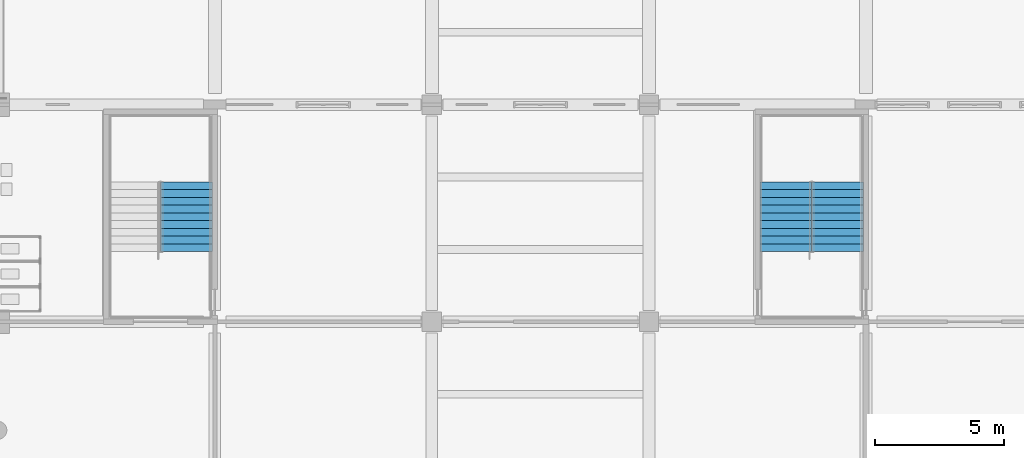
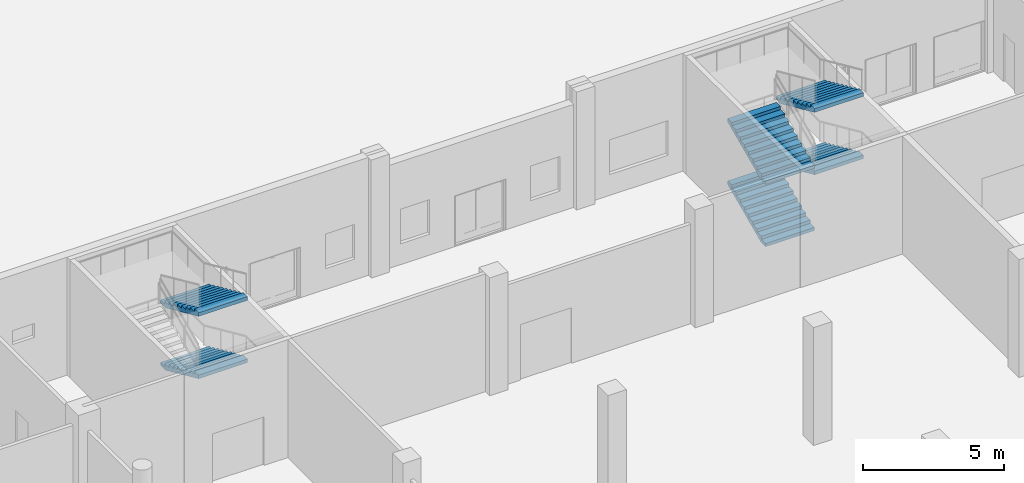
# One storey, part 55 of 74: 6 stair flights, 2 elements without a shape of their own.
"""IFC4 building model written with IfcOpenShell, lengths in metres."""

from ifc_helpers import new_model, si_unit, direction, frame, origin, place, context, subcontext, project, spatial, faceted_brep, material, type_object, element, aggregate, save


model = new_model("IFC4")

# Units and contexts
model_context = context("Model", 3, precision=1e-05, world=origin(), true_north=direction((0.0, 1.0)))
body_context = subcontext(model_context, "Body", "Model", "MODEL_VIEW")
ifc_project = project(units=[si_unit("LENGTHUNIT", "METRE"), si_unit("AREAUNIT", "SQUARE_METRE"), si_unit("VOLUMEUNIT", "CUBIC_METRE"), si_unit("PLANEANGLEUNIT", "RADIAN"), si_unit("MASSUNIT", "GRAM", prefix="KILO")], contexts=[model_context])

# Site, building, storey
site_placement = place(None, origin())
site = spatial("IfcSite", under=ifc_project, at=site_placement, CompositionType="ELEMENT")
building_placement = place(site_placement, origin())
building = spatial("IfcBuilding", under=site, at=building_placement, Name="Rulbaag Community and Learning Centre", CompositionType="ELEMENT")
storey_placement = place(building_placement, origin())
storey = spatial("IfcBuildingStorey", under=building, at=storey_placement, Name="L00", CompositionType="ELEMENT", Elevation=0.0)

# Stair, stair flights
ifc_material = material(Name="Concrete M40", Category="concrete")
stair_type = type_object("IfcStairType", Name="ST-2000 STAIR 2000 WIDE", PredefinedType="HALF_TURN_STAIR", material=ifc_material)
stair_1_placement = place(storey_placement, origin())
stair_1 = element("IfcStair", 1, at=stair_1_placement, inside=storey, type_object=stair_type, Name="Stair ST-H6 L00", PredefinedType="HALF_TURN_STAIR")
stair_flight_type = type_object("IfcStairFlightType", Name="FL-2000 FLIGHT 2000 WIDE Concrete M40", PredefinedType="STRAIGHT", material=ifc_material)
stair_flight_1_placement = place(storey_placement, frame((91.300048828125, 47.41259765625, 1.35009765625), z_axis=(0.0, 0.0, 1.0), x_axis=(0.0, -1.0, 0.0)))
stair_flight_1 = element("IfcStairFlight", 2, at=stair_flight_1_placement, type_object=stair_flight_type, Name="ST-H6 flight 2", NumberOfRisers=10, NumberOfTreads=9, PredefinedType="STRAIGHT", RiserHeight=0.135, TreadLength=0.3, context=body_context, shape_type="Brep", body=[
    faceted_brep([(0.3408203125, -1.0, 0.0), (2.699951171875, -1.0, 1.0615234375), (2.699951171875, -1.0, 1.215087890625), (2.39990234375, -1.0, 1.215087890625), (2.39990234375, -1.0, 1.080078125), (2.10009765625, -1.0, 1.080078125), (2.10009765625, -1.0, 0.945068359375), (1.800048828125, -1.0, 0.945068359375), (1.800048828125, -1.0, 0.81005859375), (1.5, -1.0, 0.81005859375), (1.5, -1.0, 0.675048828125), (1.199951171875, -1.0, 0.675048828125), (1.199951171875, -1.0, 0.5400390625), (0.89990234375, -1.0, 0.5400390625), (0.89990234375, -1.0, 0.405029296875), (0.60009765625, -1.0, 0.405029296875), (0.60009765625, -1.0, 0.27001953125), (0.300048828125, -1.0, 0.27001953125), (0.300048828125, -1.0, 0.135009765625), (0.0, -1.0, 0.135009765625), (0.0, -1.0, 0.0), (0.0, 1.0, 0.0), (0.0, 1.0, 0.135009765625), (0.300048828125, 1.0, 0.135009765625), (0.300048828125, 1.0, 0.27001953125), (0.60009765625, 1.0, 0.27001953125), (0.60009765625, 1.0, 0.405029296875), (0.89990234375, 1.0, 0.405029296875), (0.89990234375, 1.0, 0.5400390625), (1.199951171875, 1.0, 0.5400390625), (1.199951171875, 1.0, 0.675048828125), (1.5, 1.0, 0.675048828125), (1.5, 1.0, 0.81005859375), (1.800048828125, 1.0, 0.81005859375), (1.800048828125, 1.0, 0.945068359375), (2.10009765625, 1.0, 0.945068359375), (2.10009765625, 1.0, 1.080078125), (2.39990234375, 1.0, 1.080078125), (2.39990234375, 1.0, 1.215087890625), (2.699951171875, 1.0, 1.215087890625), (2.699951171875, 1.0, 1.0615234375), (0.3408203125, 1.0, 0.0), (0.0, -0.333251953125, 0.135009765625), (0.0, -0.333251953125, 0.0), (0.0, 0.333251953125, 0.135009765625), (0.0, 0.333251953125, 0.0), (0.300048828125, -0.333251953125, 0.135009765625), (0.300048828125, 0.333251953125, 0.135009765625), (0.300048828125, -0.333251953125, 0.27001953125), (0.300048828125, 0.333251953125, 0.27001953125), (0.60009765625, -0.333251953125, 0.27001953125), (0.60009765625, 0.333251953125, 0.27001953125), (0.60009765625, -0.333251953125, 0.405029296875), (0.60009765625, 0.333251953125, 0.405029296875), (0.89990234375, -0.333251953125, 0.405029296875), (0.89990234375, 0.333251953125, 0.405029296875), (0.89990234375, -0.333251953125, 0.5400390625), (0.89990234375, 0.333251953125, 0.5400390625), (1.199951171875, -0.333251953125, 0.5400390625), (1.199951171875, 0.333251953125, 0.5400390625), (1.199951171875, -0.333251953125, 0.675048828125), (1.199951171875, 0.333251953125, 0.675048828125), (1.5, -0.333251953125, 0.675048828125), (1.5, 0.333251953125, 0.675048828125), (1.5, -0.333251953125, 0.81005859375), (1.5, 0.333251953125, 0.81005859375), (1.800048828125, -0.333251953125, 0.81005859375), (1.800048828125, 0.333251953125, 0.81005859375), (1.800048828125, -0.333251953125, 0.945068359375), (1.800048828125, 0.333251953125, 0.945068359375), (2.10009765625, -0.333251953125, 0.945068359375), (2.10009765625, 0.333251953125, 0.945068359375), (2.10009765625, -0.333251953125, 1.080078125), (2.10009765625, 0.333251953125, 1.080078125), (2.39990234375, -0.333251953125, 1.080078125), (2.39990234375, 0.333251953125, 1.080078125), (2.39990234375, -0.333251953125, 1.215087890625), (2.39990234375, 0.333251953125, 1.215087890625), (2.699951171875, -0.333251953125, 1.215087890625), (2.699951171875, 0.333251953125, 1.215087890625), (2.699951171875, -0.333251953125, 1.0615234375), (2.699951171875, 0.333251953125, 1.0615234375), (0.3408203125, -0.333251953125, 0.0), (0.3408203125, 0.333251953125, 0.0)], [[[0, 1, 2, 3, 4, 5, 6, 7, 8, 9, 10, 11, 12, 13, 14, 15, 16, 17, 18, 19, 20]], [[21, 22, 23, 24, 25, 26, 27, 28, 29, 30, 31, 32, 33, 34, 35, 36, 37, 38, 39, 40, 41]], [[20, 19, 42, 43]], [[43, 42, 44, 45]], [[45, 44, 22, 21]], [[19, 18, 46, 42]], [[42, 46, 47, 44]], [[44, 47, 23, 22]], [[18, 17, 48, 46]], [[46, 48, 49, 47]], [[47, 49, 24, 23]], [[17, 16, 50, 48]], [[48, 50, 51, 49]], [[49, 51, 25, 24]], [[16, 15, 52, 50]], [[50, 52, 53, 51]], [[51, 53, 26, 25]], [[15, 14, 54, 52]], [[52, 54, 55, 53]], [[53, 55, 27, 26]], [[14, 13, 56, 54]], [[54, 56, 57, 55]], [[55, 57, 28, 27]], [[13, 12, 58, 56]], [[56, 58, 59, 57]], [[57, 59, 29, 28]], [[12, 11, 60, 58]], [[58, 60, 61, 59]], [[59, 61, 30, 29]], [[11, 10, 62, 60]], [[60, 62, 63, 61]], [[61, 63, 31, 30]], [[10, 9, 64, 62]], [[62, 64, 65, 63]], [[63, 65, 32, 31]], [[9, 8, 66, 64]], [[64, 66, 67, 65]], [[65, 67, 33, 32]], [[8, 7, 68, 66]], [[66, 68, 69, 67]], [[67, 69, 34, 33]], [[7, 6, 70, 68]], [[68, 70, 71, 69]], [[69, 71, 35, 34]], [[6, 5, 72, 70]], [[70, 72, 73, 71]], [[71, 73, 36, 35]], [[5, 4, 74, 72]], [[72, 74, 75, 73]], [[73, 75, 37, 36]], [[4, 3, 76, 74]], [[74, 76, 77, 75]], [[75, 77, 38, 37]], [[3, 2, 78, 76]], [[76, 78, 79, 77]], [[77, 79, 39, 38]], [[2, 1, 80, 78]], [[78, 80, 81, 79]], [[79, 81, 40, 39]], [[1, 0, 82, 80]], [[80, 82, 83, 81]], [[81, 83, 41, 40]], [[0, 20, 43, 82]], [[82, 43, 45, 83]], [[83, 45, 21, 41]]]),
])
stair_flight_2_placement = place(storey_placement, frame((91.300048828125, 47.41259765625, 4.050048828125), z_axis=(0.0, 0.0, 1.0), x_axis=(0.0, -1.0, 0.0)))
stair_flight_2 = element("IfcStairFlight", 3, at=stair_flight_2_placement, type_object=stair_flight_type, Name="ST-H6 flight 4", NumberOfRisers=10, NumberOfTreads=9, PredefinedType="STRAIGHT", RiserHeight=0.135, TreadLength=0.3, context=body_context, shape_type="Brep", body=[
    faceted_brep([(0.3408203125, -1.0, 0.0), (2.699951171875, -1.0, 1.0615234375), (2.699951171875, -1.0, 1.215087890625), (2.39990234375, -1.0, 1.215087890625), (2.39990234375, -1.0, 1.080078125), (2.10009765625, -1.0, 1.080078125), (2.10009765625, -1.0, 0.945068359375), (1.800048828125, -1.0, 0.945068359375), (1.800048828125, -1.0, 0.81005859375), (1.5, -1.0, 0.81005859375), (1.5, -1.0, 0.675048828125), (1.199951171875, -1.0, 0.675048828125), (1.199951171875, -1.0, 0.5400390625), (0.89990234375, -1.0, 0.5400390625), (0.89990234375, -1.0, 0.405029296875), (0.60009765625, -1.0, 0.405029296875), (0.60009765625, -1.0, 0.27001953125), (0.300048828125, -1.0, 0.27001953125), (0.300048828125, -1.0, 0.135009765625), (0.0, -1.0, 0.135009765625), (0.0, -1.0, 0.0), (0.0, 1.0, 0.0), (0.0, 1.0, 0.135009765625), (0.300048828125, 1.0, 0.135009765625), (0.300048828125, 1.0, 0.27001953125), (0.60009765625, 1.0, 0.27001953125), (0.60009765625, 1.0, 0.405029296875), (0.89990234375, 1.0, 0.405029296875), (0.89990234375, 1.0, 0.5400390625), (1.199951171875, 1.0, 0.5400390625), (1.199951171875, 1.0, 0.675048828125), (1.5, 1.0, 0.675048828125), (1.5, 1.0, 0.81005859375), (1.800048828125, 1.0, 0.81005859375), (1.800048828125, 1.0, 0.945068359375), (2.10009765625, 1.0, 0.945068359375), (2.10009765625, 1.0, 1.080078125), (2.39990234375, 1.0, 1.080078125), (2.39990234375, 1.0, 1.215087890625), (2.699951171875, 1.0, 1.215087890625), (2.699951171875, 1.0, 1.0615234375), (0.3408203125, 1.0, 0.0), (0.0, -0.333251953125, 0.135009765625), (0.0, -0.333251953125, 0.0), (0.0, 0.333251953125, 0.135009765625), (0.0, 0.333251953125, 0.0), (0.300048828125, -0.333251953125, 0.135009765625), (0.300048828125, 0.333251953125, 0.135009765625), (0.300048828125, -0.333251953125, 0.27001953125), (0.300048828125, 0.333251953125, 0.27001953125), (0.60009765625, -0.333251953125, 0.27001953125), (0.60009765625, 0.333251953125, 0.27001953125), (0.60009765625, -0.333251953125, 0.405029296875), (0.60009765625, 0.333251953125, 0.405029296875), (0.89990234375, -0.333251953125, 0.405029296875), (0.89990234375, 0.333251953125, 0.405029296875), (0.89990234375, -0.333251953125, 0.5400390625), (0.89990234375, 0.333251953125, 0.5400390625), (1.199951171875, -0.333251953125, 0.5400390625), (1.199951171875, 0.333251953125, 0.5400390625), (1.199951171875, -0.333251953125, 0.675048828125), (1.199951171875, 0.333251953125, 0.675048828125), (1.5, -0.333251953125, 0.675048828125), (1.5, 0.333251953125, 0.675048828125), (1.5, -0.333251953125, 0.81005859375), (1.5, 0.333251953125, 0.81005859375), (1.800048828125, -0.333251953125, 0.81005859375), (1.800048828125, 0.333251953125, 0.81005859375), (1.800048828125, -0.333251953125, 0.945068359375), (1.800048828125, 0.333251953125, 0.945068359375), (2.10009765625, -0.333251953125, 0.945068359375), (2.10009765625, 0.333251953125, 0.945068359375), (2.10009765625, -0.333251953125, 1.080078125), (2.10009765625, 0.333251953125, 1.080078125), (2.39990234375, -0.333251953125, 1.080078125), (2.39990234375, 0.333251953125, 1.080078125), (2.39990234375, -0.333251953125, 1.215087890625), (2.39990234375, 0.333251953125, 1.215087890625), (2.699951171875, -0.333251953125, 1.215087890625), (2.699951171875, 0.333251953125, 1.215087890625), (2.699951171875, -0.333251953125, 1.0615234375), (2.699951171875, 0.333251953125, 1.0615234375), (0.3408203125, -0.333251953125, 0.0), (0.3408203125, 0.333251953125, 0.0)], [[[0, 1, 2, 3, 4, 5, 6, 7, 8, 9, 10, 11, 12, 13, 14, 15, 16, 17, 18, 19, 20]], [[21, 22, 23, 24, 25, 26, 27, 28, 29, 30, 31, 32, 33, 34, 35, 36, 37, 38, 39, 40, 41]], [[20, 19, 42, 43]], [[43, 42, 44, 45]], [[45, 44, 22, 21]], [[19, 18, 46, 42]], [[42, 46, 47, 44]], [[44, 47, 23, 22]], [[18, 17, 48, 46]], [[46, 48, 49, 47]], [[47, 49, 24, 23]], [[17, 16, 50, 48]], [[48, 50, 51, 49]], [[49, 51, 25, 24]], [[16, 15, 52, 50]], [[50, 52, 53, 51]], [[51, 53, 26, 25]], [[15, 14, 54, 52]], [[52, 54, 55, 53]], [[53, 55, 27, 26]], [[14, 13, 56, 54]], [[54, 56, 57, 55]], [[55, 57, 28, 27]], [[13, 12, 58, 56]], [[56, 58, 59, 57]], [[57, 59, 29, 28]], [[12, 11, 60, 58]], [[58, 60, 61, 59]], [[59, 61, 30, 29]], [[11, 10, 62, 60]], [[60, 62, 63, 61]], [[61, 63, 31, 30]], [[10, 9, 64, 62]], [[62, 64, 65, 63]], [[63, 65, 32, 31]], [[9, 8, 66, 64]], [[64, 66, 67, 65]], [[65, 67, 33, 32]], [[8, 7, 68, 66]], [[66, 68, 69, 67]], [[67, 69, 34, 33]], [[7, 6, 70, 68]], [[68, 70, 71, 69]], [[69, 71, 35, 34]], [[6, 5, 72, 70]], [[70, 72, 73, 71]], [[71, 73, 36, 35]], [[5, 4, 74, 72]], [[72, 74, 75, 73]], [[73, 75, 37, 36]], [[4, 3, 76, 74]], [[74, 76, 77, 75]], [[75, 77, 38, 37]], [[3, 2, 78, 76]], [[76, 78, 79, 77]], [[77, 79, 39, 38]], [[2, 1, 80, 78]], [[78, 80, 81, 79]], [[79, 81, 40, 39]], [[1, 0, 82, 80]], [[80, 82, 83, 81]], [[81, 83, 41, 40]], [[0, 20, 43, 82]], [[82, 43, 45, 83]], [[83, 45, 21, 41]]]),
])
aggregate(stair_1, [stair_flight_1, stair_flight_2])

stair_2_placement = place(storey_placement, origin())
stair_2 = element("IfcStair", 4, at=stair_2_placement, inside=storey, type_object=stair_type, Name="Stair ST-H7 L00", PredefinedType="HALF_TURN_STAIR")
stair_flight_3_placement = place(storey_placement, frame((114.5, 44.71240234375, 0.0), z_axis=(0.0, 0.0, 1.0), x_axis=(0.0, 1.0, 0.0)))
stair_flight_3 = element("IfcStairFlight", 5, at=stair_flight_3_placement, type_object=stair_flight_type, Name="ST-H7 flight 1", NumberOfRisers=10, NumberOfTreads=9, PredefinedType="STRAIGHT", RiserHeight=0.135, TreadLength=0.3, context=body_context, shape_type="Brep", body=[
    faceted_brep([(0.3408203125, -1.0, 0.0), (2.699951171875, -1.0, 1.0615234375), (2.699951171875, -1.0, 1.215087890625), (2.39990234375, -1.0, 1.215087890625), (2.39990234375, -1.0, 1.080078125), (2.10009765625, -1.0, 1.080078125), (2.10009765625, -1.0, 0.945068359375), (1.800048828125, -1.0, 0.945068359375), (1.800048828125, -1.0, 0.81005859375), (1.5, -1.0, 0.81005859375), (1.5, -1.0, 0.675048828125), (1.199951171875, -1.0, 0.675048828125), (1.199951171875, -1.0, 0.5400390625), (0.89990234375, -1.0, 0.5400390625), (0.89990234375, -1.0, 0.405029296875), (0.60009765625, -1.0, 0.405029296875), (0.60009765625, -1.0, 0.27001953125), (0.300048828125, -1.0, 0.27001953125), (0.300048828125, -1.0, 0.135009765625), (0.0, -1.0, 0.135009765625), (0.0, -1.0, 0.0), (0.0, 1.0, 0.0), (0.0, 1.0, 0.135009765625), (0.300048828125, 1.0, 0.135009765625), (0.300048828125, 1.0, 0.27001953125), (0.60009765625, 1.0, 0.27001953125), (0.60009765625, 1.0, 0.405029296875), (0.89990234375, 1.0, 0.405029296875), (0.89990234375, 1.0, 0.5400390625), (1.199951171875, 1.0, 0.5400390625), (1.199951171875, 1.0, 0.675048828125), (1.5, 1.0, 0.675048828125), (1.5, 1.0, 0.81005859375), (1.800048828125, 1.0, 0.81005859375), (1.800048828125, 1.0, 0.945068359375), (2.10009765625, 1.0, 0.945068359375), (2.10009765625, 1.0, 1.080078125), (2.39990234375, 1.0, 1.080078125), (2.39990234375, 1.0, 1.215087890625), (2.699951171875, 1.0, 1.215087890625), (2.699951171875, 1.0, 1.0615234375), (0.3408203125, 1.0, 0.0), (0.0, -0.333251953125, 0.135009765625), (0.0, -0.333251953125, 0.0), (0.0, 0.333251953125, 0.135009765625), (0.0, 0.333251953125, 0.0), (0.300048828125, -0.333251953125, 0.135009765625), (0.300048828125, 0.333251953125, 0.135009765625), (0.300048828125, -0.333251953125, 0.27001953125), (0.300048828125, 0.333251953125, 0.27001953125), (0.60009765625, -0.333251953125, 0.27001953125), (0.60009765625, 0.333251953125, 0.27001953125), (0.60009765625, -0.333251953125, 0.405029296875), (0.60009765625, 0.333251953125, 0.405029296875), (0.89990234375, -0.333251953125, 0.405029296875), (0.89990234375, 0.333251953125, 0.405029296875), (0.89990234375, -0.333251953125, 0.5400390625), (0.89990234375, 0.333251953125, 0.5400390625), (1.199951171875, -0.333251953125, 0.5400390625), (1.199951171875, 0.333251953125, 0.5400390625), (1.199951171875, -0.333251953125, 0.675048828125), (1.199951171875, 0.333251953125, 0.675048828125), (1.5, -0.333251953125, 0.675048828125), (1.5, 0.333251953125, 0.675048828125), (1.5, -0.333251953125, 0.81005859375), (1.5, 0.333251953125, 0.81005859375), (1.800048828125, -0.333251953125, 0.81005859375), (1.800048828125, 0.333251953125, 0.81005859375), (1.800048828125, -0.333251953125, 0.945068359375), (1.800048828125, 0.333251953125, 0.945068359375), (2.10009765625, -0.333251953125, 0.945068359375), (2.10009765625, 0.333251953125, 0.945068359375), (2.10009765625, -0.333251953125, 1.080078125), (2.10009765625, 0.333251953125, 1.080078125), (2.39990234375, -0.333251953125, 1.080078125), (2.39990234375, 0.333251953125, 1.080078125), (2.39990234375, -0.333251953125, 1.215087890625), (2.39990234375, 0.333251953125, 1.215087890625), (2.699951171875, -0.333251953125, 1.215087890625), (2.699951171875, 0.333251953125, 1.215087890625), (2.699951171875, -0.333251953125, 1.0615234375), (2.699951171875, 0.333251953125, 1.0615234375), (0.3408203125, -0.333251953125, 0.0), (0.3408203125, 0.333251953125, 0.0)], [[[0, 1, 2, 3, 4, 5, 6, 7, 8, 9, 10, 11, 12, 13, 14, 15, 16, 17, 18, 19, 20]], [[21, 22, 23, 24, 25, 26, 27, 28, 29, 30, 31, 32, 33, 34, 35, 36, 37, 38, 39, 40, 41]], [[20, 19, 42, 43]], [[43, 42, 44, 45]], [[45, 44, 22, 21]], [[19, 18, 46, 42]], [[42, 46, 47, 44]], [[44, 47, 23, 22]], [[18, 17, 48, 46]], [[46, 48, 49, 47]], [[47, 49, 24, 23]], [[17, 16, 50, 48]], [[48, 50, 51, 49]], [[49, 51, 25, 24]], [[16, 15, 52, 50]], [[50, 52, 53, 51]], [[51, 53, 26, 25]], [[15, 14, 54, 52]], [[52, 54, 55, 53]], [[53, 55, 27, 26]], [[14, 13, 56, 54]], [[54, 56, 57, 55]], [[55, 57, 28, 27]], [[13, 12, 58, 56]], [[56, 58, 59, 57]], [[57, 59, 29, 28]], [[12, 11, 60, 58]], [[58, 60, 61, 59]], [[59, 61, 30, 29]], [[11, 10, 62, 60]], [[60, 62, 63, 61]], [[61, 63, 31, 30]], [[10, 9, 64, 62]], [[62, 64, 65, 63]], [[63, 65, 32, 31]], [[9, 8, 66, 64]], [[64, 66, 67, 65]], [[65, 67, 33, 32]], [[8, 7, 68, 66]], [[66, 68, 69, 67]], [[67, 69, 34, 33]], [[7, 6, 70, 68]], [[68, 70, 71, 69]], [[69, 71, 35, 34]], [[6, 5, 72, 70]], [[70, 72, 73, 71]], [[71, 73, 36, 35]], [[5, 4, 74, 72]], [[72, 74, 75, 73]], [[73, 75, 37, 36]], [[4, 3, 76, 74]], [[74, 76, 77, 75]], [[75, 77, 38, 37]], [[3, 2, 78, 76]], [[76, 78, 79, 77]], [[77, 79, 39, 38]], [[2, 1, 80, 78]], [[78, 80, 81, 79]], [[79, 81, 40, 39]], [[1, 0, 82, 80]], [[80, 82, 83, 81]], [[81, 83, 41, 40]], [[0, 20, 43, 82]], [[82, 43, 45, 83]], [[83, 45, 21, 41]]]),
])
stair_flight_4_placement = place(storey_placement, frame((116.5, 47.41259765625, 1.35009765625), z_axis=(0.0, 0.0, 1.0), x_axis=(0.0, -1.0, 0.0)))
stair_flight_4 = element("IfcStairFlight", 6, at=stair_flight_4_placement, type_object=stair_flight_type, Name="ST-H7 flight 2", NumberOfRisers=10, NumberOfTreads=9, PredefinedType="STRAIGHT", RiserHeight=0.135, TreadLength=0.3, context=body_context, shape_type="Brep", body=[
    faceted_brep([(0.3408203125, -1.0, 0.0), (2.699951171875, -1.0, 1.0615234375), (2.699951171875, -1.0, 1.215087890625), (2.39990234375, -1.0, 1.215087890625), (2.39990234375, -1.0, 1.080078125), (2.10009765625, -1.0, 1.080078125), (2.10009765625, -1.0, 0.945068359375), (1.800048828125, -1.0, 0.945068359375), (1.800048828125, -1.0, 0.81005859375), (1.5, -1.0, 0.81005859375), (1.5, -1.0, 0.675048828125), (1.199951171875, -1.0, 0.675048828125), (1.199951171875, -1.0, 0.5400390625), (0.89990234375, -1.0, 0.5400390625), (0.89990234375, -1.0, 0.405029296875), (0.60009765625, -1.0, 0.405029296875), (0.60009765625, -1.0, 0.27001953125), (0.300048828125, -1.0, 0.27001953125), (0.300048828125, -1.0, 0.135009765625), (0.0, -1.0, 0.135009765625), (0.0, -1.0, 0.0), (0.0, 1.0, 0.0), (0.0, 1.0, 0.135009765625), (0.300048828125, 1.0, 0.135009765625), (0.300048828125, 1.0, 0.27001953125), (0.60009765625, 1.0, 0.27001953125), (0.60009765625, 1.0, 0.405029296875), (0.89990234375, 1.0, 0.405029296875), (0.89990234375, 1.0, 0.5400390625), (1.199951171875, 1.0, 0.5400390625), (1.199951171875, 1.0, 0.675048828125), (1.5, 1.0, 0.675048828125), (1.5, 1.0, 0.81005859375), (1.800048828125, 1.0, 0.81005859375), (1.800048828125, 1.0, 0.945068359375), (2.10009765625, 1.0, 0.945068359375), (2.10009765625, 1.0, 1.080078125), (2.39990234375, 1.0, 1.080078125), (2.39990234375, 1.0, 1.215087890625), (2.699951171875, 1.0, 1.215087890625), (2.699951171875, 1.0, 1.0615234375), (0.3408203125, 1.0, 0.0), (0.0, -0.333251953125, 0.135009765625), (0.0, -0.333251953125, 0.0), (0.0, 0.333251953125, 0.135009765625), (0.0, 0.333251953125, 0.0), (0.300048828125, -0.333251953125, 0.135009765625), (0.300048828125, 0.333251953125, 0.135009765625), (0.300048828125, -0.333251953125, 0.27001953125), (0.300048828125, 0.333251953125, 0.27001953125), (0.60009765625, -0.333251953125, 0.27001953125), (0.60009765625, 0.333251953125, 0.27001953125), (0.60009765625, -0.333251953125, 0.405029296875), (0.60009765625, 0.333251953125, 0.405029296875), (0.89990234375, -0.333251953125, 0.405029296875), (0.89990234375, 0.333251953125, 0.405029296875), (0.89990234375, -0.333251953125, 0.5400390625), (0.89990234375, 0.333251953125, 0.5400390625), (1.199951171875, -0.333251953125, 0.5400390625), (1.199951171875, 0.333251953125, 0.5400390625), (1.199951171875, -0.333251953125, 0.675048828125), (1.199951171875, 0.333251953125, 0.675048828125), (1.5, -0.333251953125, 0.675048828125), (1.5, 0.333251953125, 0.675048828125), (1.5, -0.333251953125, 0.81005859375), (1.5, 0.333251953125, 0.81005859375), (1.800048828125, -0.333251953125, 0.81005859375), (1.800048828125, 0.333251953125, 0.81005859375), (1.800048828125, -0.333251953125, 0.945068359375), (1.800048828125, 0.333251953125, 0.945068359375), (2.10009765625, -0.333251953125, 0.945068359375), (2.10009765625, 0.333251953125, 0.945068359375), (2.10009765625, -0.333251953125, 1.080078125), (2.10009765625, 0.333251953125, 1.080078125), (2.39990234375, -0.333251953125, 1.080078125), (2.39990234375, 0.333251953125, 1.080078125), (2.39990234375, -0.333251953125, 1.215087890625), (2.39990234375, 0.333251953125, 1.215087890625), (2.699951171875, -0.333251953125, 1.215087890625), (2.699951171875, 0.333251953125, 1.215087890625), (2.699951171875, -0.333251953125, 1.0615234375), (2.699951171875, 0.333251953125, 1.0615234375), (0.3408203125, -0.333251953125, 0.0), (0.3408203125, 0.333251953125, 0.0)], [[[0, 1, 2, 3, 4, 5, 6, 7, 8, 9, 10, 11, 12, 13, 14, 15, 16, 17, 18, 19, 20]], [[21, 22, 23, 24, 25, 26, 27, 28, 29, 30, 31, 32, 33, 34, 35, 36, 37, 38, 39, 40, 41]], [[20, 19, 42, 43]], [[43, 42, 44, 45]], [[45, 44, 22, 21]], [[19, 18, 46, 42]], [[42, 46, 47, 44]], [[44, 47, 23, 22]], [[18, 17, 48, 46]], [[46, 48, 49, 47]], [[47, 49, 24, 23]], [[17, 16, 50, 48]], [[48, 50, 51, 49]], [[49, 51, 25, 24]], [[16, 15, 52, 50]], [[50, 52, 53, 51]], [[51, 53, 26, 25]], [[15, 14, 54, 52]], [[52, 54, 55, 53]], [[53, 55, 27, 26]], [[14, 13, 56, 54]], [[54, 56, 57, 55]], [[55, 57, 28, 27]], [[13, 12, 58, 56]], [[56, 58, 59, 57]], [[57, 59, 29, 28]], [[12, 11, 60, 58]], [[58, 60, 61, 59]], [[59, 61, 30, 29]], [[11, 10, 62, 60]], [[60, 62, 63, 61]], [[61, 63, 31, 30]], [[10, 9, 64, 62]], [[62, 64, 65, 63]], [[63, 65, 32, 31]], [[9, 8, 66, 64]], [[64, 66, 67, 65]], [[65, 67, 33, 32]], [[8, 7, 68, 66]], [[66, 68, 69, 67]], [[67, 69, 34, 33]], [[7, 6, 70, 68]], [[68, 70, 71, 69]], [[69, 71, 35, 34]], [[6, 5, 72, 70]], [[70, 72, 73, 71]], [[71, 73, 36, 35]], [[5, 4, 74, 72]], [[72, 74, 75, 73]], [[73, 75, 37, 36]], [[4, 3, 76, 74]], [[74, 76, 77, 75]], [[75, 77, 38, 37]], [[3, 2, 78, 76]], [[76, 78, 79, 77]], [[77, 79, 39, 38]], [[2, 1, 80, 78]], [[78, 80, 81, 79]], [[79, 81, 40, 39]], [[1, 0, 82, 80]], [[80, 82, 83, 81]], [[81, 83, 41, 40]], [[0, 20, 43, 82]], [[82, 43, 45, 83]], [[83, 45, 21, 41]]]),
])
stair_flight_5_placement = place(storey_placement, frame((114.5, 44.71240234375, 2.699951171875), z_axis=(0.0, 0.0, 1.0), x_axis=(0.0, 1.0, 0.0)))
stair_flight_5 = element("IfcStairFlight", 7, at=stair_flight_5_placement, type_object=stair_flight_type, Name="ST-H7 flight 3", NumberOfRisers=10, NumberOfTreads=9, PredefinedType="STRAIGHT", RiserHeight=0.135, TreadLength=0.3, context=body_context, shape_type="Brep", body=[
    faceted_brep([(0.3408203125, -1.0, 0.0), (2.699951171875, -1.0, 1.0615234375), (2.699951171875, -1.0, 1.215087890625), (2.39990234375, -1.0, 1.215087890625), (2.39990234375, -1.0, 1.080078125), (2.10009765625, -1.0, 1.080078125), (2.10009765625, -1.0, 0.945068359375), (1.800048828125, -1.0, 0.945068359375), (1.800048828125, -1.0, 0.81005859375), (1.5, -1.0, 0.81005859375), (1.5, -1.0, 0.675048828125), (1.199951171875, -1.0, 0.675048828125), (1.199951171875, -1.0, 0.5400390625), (0.89990234375, -1.0, 0.5400390625), (0.89990234375, -1.0, 0.405029296875), (0.60009765625, -1.0, 0.405029296875), (0.60009765625, -1.0, 0.27001953125), (0.300048828125, -1.0, 0.27001953125), (0.300048828125, -1.0, 0.135009765625), (0.0, -1.0, 0.135009765625), (0.0, -1.0, 0.0), (0.0, 1.0, 0.0), (0.0, 1.0, 0.135009765625), (0.300048828125, 1.0, 0.135009765625), (0.300048828125, 1.0, 0.27001953125), (0.60009765625, 1.0, 0.27001953125), (0.60009765625, 1.0, 0.405029296875), (0.89990234375, 1.0, 0.405029296875), (0.89990234375, 1.0, 0.5400390625), (1.199951171875, 1.0, 0.5400390625), (1.199951171875, 1.0, 0.675048828125), (1.5, 1.0, 0.675048828125), (1.5, 1.0, 0.81005859375), (1.800048828125, 1.0, 0.81005859375), (1.800048828125, 1.0, 0.945068359375), (2.10009765625, 1.0, 0.945068359375), (2.10009765625, 1.0, 1.080078125), (2.39990234375, 1.0, 1.080078125), (2.39990234375, 1.0, 1.215087890625), (2.699951171875, 1.0, 1.215087890625), (2.699951171875, 1.0, 1.0615234375), (0.3408203125, 1.0, 0.0), (0.0, -0.333251953125, 0.135009765625), (0.0, -0.333251953125, 0.0), (0.0, 0.333251953125, 0.135009765625), (0.0, 0.333251953125, 0.0), (0.300048828125, -0.333251953125, 0.135009765625), (0.300048828125, 0.333251953125, 0.135009765625), (0.300048828125, -0.333251953125, 0.27001953125), (0.300048828125, 0.333251953125, 0.27001953125), (0.60009765625, -0.333251953125, 0.27001953125), (0.60009765625, 0.333251953125, 0.27001953125), (0.60009765625, -0.333251953125, 0.405029296875), (0.60009765625, 0.333251953125, 0.405029296875), (0.89990234375, -0.333251953125, 0.405029296875), (0.89990234375, 0.333251953125, 0.405029296875), (0.89990234375, -0.333251953125, 0.5400390625), (0.89990234375, 0.333251953125, 0.5400390625), (1.199951171875, -0.333251953125, 0.5400390625), (1.199951171875, 0.333251953125, 0.5400390625), (1.199951171875, -0.333251953125, 0.675048828125), (1.199951171875, 0.333251953125, 0.675048828125), (1.5, -0.333251953125, 0.675048828125), (1.5, 0.333251953125, 0.675048828125), (1.5, -0.333251953125, 0.81005859375), (1.5, 0.333251953125, 0.81005859375), (1.800048828125, -0.333251953125, 0.81005859375), (1.800048828125, 0.333251953125, 0.81005859375), (1.800048828125, -0.333251953125, 0.945068359375), (1.800048828125, 0.333251953125, 0.945068359375), (2.10009765625, -0.333251953125, 0.945068359375), (2.10009765625, 0.333251953125, 0.945068359375), (2.10009765625, -0.333251953125, 1.080078125), (2.10009765625, 0.333251953125, 1.080078125), (2.39990234375, -0.333251953125, 1.080078125), (2.39990234375, 0.333251953125, 1.080078125), (2.39990234375, -0.333251953125, 1.215087890625), (2.39990234375, 0.333251953125, 1.215087890625), (2.699951171875, -0.333251953125, 1.215087890625), (2.699951171875, 0.333251953125, 1.215087890625), (2.699951171875, -0.333251953125, 1.0615234375), (2.699951171875, 0.333251953125, 1.0615234375), (0.3408203125, -0.333251953125, 0.0), (0.3408203125, 0.333251953125, 0.0)], [[[0, 1, 2, 3, 4, 5, 6, 7, 8, 9, 10, 11, 12, 13, 14, 15, 16, 17, 18, 19, 20]], [[21, 22, 23, 24, 25, 26, 27, 28, 29, 30, 31, 32, 33, 34, 35, 36, 37, 38, 39, 40, 41]], [[20, 19, 42, 43]], [[43, 42, 44, 45]], [[45, 44, 22, 21]], [[19, 18, 46, 42]], [[42, 46, 47, 44]], [[44, 47, 23, 22]], [[18, 17, 48, 46]], [[46, 48, 49, 47]], [[47, 49, 24, 23]], [[17, 16, 50, 48]], [[48, 50, 51, 49]], [[49, 51, 25, 24]], [[16, 15, 52, 50]], [[50, 52, 53, 51]], [[51, 53, 26, 25]], [[15, 14, 54, 52]], [[52, 54, 55, 53]], [[53, 55, 27, 26]], [[14, 13, 56, 54]], [[54, 56, 57, 55]], [[55, 57, 28, 27]], [[13, 12, 58, 56]], [[56, 58, 59, 57]], [[57, 59, 29, 28]], [[12, 11, 60, 58]], [[58, 60, 61, 59]], [[59, 61, 30, 29]], [[11, 10, 62, 60]], [[60, 62, 63, 61]], [[61, 63, 31, 30]], [[10, 9, 64, 62]], [[62, 64, 65, 63]], [[63, 65, 32, 31]], [[9, 8, 66, 64]], [[64, 66, 67, 65]], [[65, 67, 33, 32]], [[8, 7, 68, 66]], [[66, 68, 69, 67]], [[67, 69, 34, 33]], [[7, 6, 70, 68]], [[68, 70, 71, 69]], [[69, 71, 35, 34]], [[6, 5, 72, 70]], [[70, 72, 73, 71]], [[71, 73, 36, 35]], [[5, 4, 74, 72]], [[72, 74, 75, 73]], [[73, 75, 37, 36]], [[4, 3, 76, 74]], [[74, 76, 77, 75]], [[75, 77, 38, 37]], [[3, 2, 78, 76]], [[76, 78, 79, 77]], [[77, 79, 39, 38]], [[2, 1, 80, 78]], [[78, 80, 81, 79]], [[79, 81, 40, 39]], [[1, 0, 82, 80]], [[80, 82, 83, 81]], [[81, 83, 41, 40]], [[0, 20, 43, 82]], [[82, 43, 45, 83]], [[83, 45, 21, 41]]]),
])
stair_flight_6_placement = place(storey_placement, frame((116.5, 47.41259765625, 4.050048828125), z_axis=(0.0, 0.0, 1.0), x_axis=(0.0, -1.0, 0.0)))
stair_flight_6 = element("IfcStairFlight", 8, at=stair_flight_6_placement, type_object=stair_flight_type, Name="ST-H7 flight 4", NumberOfRisers=10, NumberOfTreads=9, PredefinedType="STRAIGHT", RiserHeight=0.135, TreadLength=0.3, context=body_context, shape_type="Brep", body=[
    faceted_brep([(0.3408203125, -1.0, 0.0), (2.699951171875, -1.0, 1.0615234375), (2.699951171875, -1.0, 1.215087890625), (2.39990234375, -1.0, 1.215087890625), (2.39990234375, -1.0, 1.080078125), (2.10009765625, -1.0, 1.080078125), (2.10009765625, -1.0, 0.945068359375), (1.800048828125, -1.0, 0.945068359375), (1.800048828125, -1.0, 0.81005859375), (1.5, -1.0, 0.81005859375), (1.5, -1.0, 0.675048828125), (1.199951171875, -1.0, 0.675048828125), (1.199951171875, -1.0, 0.5400390625), (0.89990234375, -1.0, 0.5400390625), (0.89990234375, -1.0, 0.405029296875), (0.60009765625, -1.0, 0.405029296875), (0.60009765625, -1.0, 0.27001953125), (0.300048828125, -1.0, 0.27001953125), (0.300048828125, -1.0, 0.135009765625), (0.0, -1.0, 0.135009765625), (0.0, -1.0, 0.0), (0.0, 1.0, 0.0), (0.0, 1.0, 0.135009765625), (0.300048828125, 1.0, 0.135009765625), (0.300048828125, 1.0, 0.27001953125), (0.60009765625, 1.0, 0.27001953125), (0.60009765625, 1.0, 0.405029296875), (0.89990234375, 1.0, 0.405029296875), (0.89990234375, 1.0, 0.5400390625), (1.199951171875, 1.0, 0.5400390625), (1.199951171875, 1.0, 0.675048828125), (1.5, 1.0, 0.675048828125), (1.5, 1.0, 0.81005859375), (1.800048828125, 1.0, 0.81005859375), (1.800048828125, 1.0, 0.945068359375), (2.10009765625, 1.0, 0.945068359375), (2.10009765625, 1.0, 1.080078125), (2.39990234375, 1.0, 1.080078125), (2.39990234375, 1.0, 1.215087890625), (2.699951171875, 1.0, 1.215087890625), (2.699951171875, 1.0, 1.0615234375), (0.3408203125, 1.0, 0.0), (0.0, -0.333251953125, 0.135009765625), (0.0, -0.333251953125, 0.0), (0.0, 0.333251953125, 0.135009765625), (0.0, 0.333251953125, 0.0), (0.300048828125, -0.333251953125, 0.135009765625), (0.300048828125, 0.333251953125, 0.135009765625), (0.300048828125, -0.333251953125, 0.27001953125), (0.300048828125, 0.333251953125, 0.27001953125), (0.60009765625, -0.333251953125, 0.27001953125), (0.60009765625, 0.333251953125, 0.27001953125), (0.60009765625, -0.333251953125, 0.405029296875), (0.60009765625, 0.333251953125, 0.405029296875), (0.89990234375, -0.333251953125, 0.405029296875), (0.89990234375, 0.333251953125, 0.405029296875), (0.89990234375, -0.333251953125, 0.5400390625), (0.89990234375, 0.333251953125, 0.5400390625), (1.199951171875, -0.333251953125, 0.5400390625), (1.199951171875, 0.333251953125, 0.5400390625), (1.199951171875, -0.333251953125, 0.675048828125), (1.199951171875, 0.333251953125, 0.675048828125), (1.5, -0.333251953125, 0.675048828125), (1.5, 0.333251953125, 0.675048828125), (1.5, -0.333251953125, 0.81005859375), (1.5, 0.333251953125, 0.81005859375), (1.800048828125, -0.333251953125, 0.81005859375), (1.800048828125, 0.333251953125, 0.81005859375), (1.800048828125, -0.333251953125, 0.945068359375), (1.800048828125, 0.333251953125, 0.945068359375), (2.10009765625, -0.333251953125, 0.945068359375), (2.10009765625, 0.333251953125, 0.945068359375), (2.10009765625, -0.333251953125, 1.080078125), (2.10009765625, 0.333251953125, 1.080078125), (2.39990234375, -0.333251953125, 1.080078125), (2.39990234375, 0.333251953125, 1.080078125), (2.39990234375, -0.333251953125, 1.215087890625), (2.39990234375, 0.333251953125, 1.215087890625), (2.699951171875, -0.333251953125, 1.215087890625), (2.699951171875, 0.333251953125, 1.215087890625), (2.699951171875, -0.333251953125, 1.0615234375), (2.699951171875, 0.333251953125, 1.0615234375), (0.3408203125, -0.333251953125, 0.0), (0.3408203125, 0.333251953125, 0.0)], [[[0, 1, 2, 3, 4, 5, 6, 7, 8, 9, 10, 11, 12, 13, 14, 15, 16, 17, 18, 19, 20]], [[21, 22, 23, 24, 25, 26, 27, 28, 29, 30, 31, 32, 33, 34, 35, 36, 37, 38, 39, 40, 41]], [[20, 19, 42, 43]], [[43, 42, 44, 45]], [[45, 44, 22, 21]], [[19, 18, 46, 42]], [[42, 46, 47, 44]], [[44, 47, 23, 22]], [[18, 17, 48, 46]], [[46, 48, 49, 47]], [[47, 49, 24, 23]], [[17, 16, 50, 48]], [[48, 50, 51, 49]], [[49, 51, 25, 24]], [[16, 15, 52, 50]], [[50, 52, 53, 51]], [[51, 53, 26, 25]], [[15, 14, 54, 52]], [[52, 54, 55, 53]], [[53, 55, 27, 26]], [[14, 13, 56, 54]], [[54, 56, 57, 55]], [[55, 57, 28, 27]], [[13, 12, 58, 56]], [[56, 58, 59, 57]], [[57, 59, 29, 28]], [[12, 11, 60, 58]], [[58, 60, 61, 59]], [[59, 61, 30, 29]], [[11, 10, 62, 60]], [[60, 62, 63, 61]], [[61, 63, 31, 30]], [[10, 9, 64, 62]], [[62, 64, 65, 63]], [[63, 65, 32, 31]], [[9, 8, 66, 64]], [[64, 66, 67, 65]], [[65, 67, 33, 32]], [[8, 7, 68, 66]], [[66, 68, 69, 67]], [[67, 69, 34, 33]], [[7, 6, 70, 68]], [[68, 70, 71, 69]], [[69, 71, 35, 34]], [[6, 5, 72, 70]], [[70, 72, 73, 71]], [[71, 73, 36, 35]], [[5, 4, 74, 72]], [[72, 74, 75, 73]], [[73, 75, 37, 36]], [[4, 3, 76, 74]], [[74, 76, 77, 75]], [[75, 77, 38, 37]], [[3, 2, 78, 76]], [[76, 78, 79, 77]], [[77, 79, 39, 38]], [[2, 1, 80, 78]], [[78, 80, 81, 79]], [[79, 81, 40, 39]], [[1, 0, 82, 80]], [[80, 82, 83, 81]], [[81, 83, 41, 40]], [[0, 20, 43, 82]], [[82, 43, 45, 83]], [[83, 45, 21, 41]]]),
])
aggregate(stair_2, [stair_flight_3, stair_flight_4, stair_flight_5, stair_flight_6])

save(model, "model.ifc")
